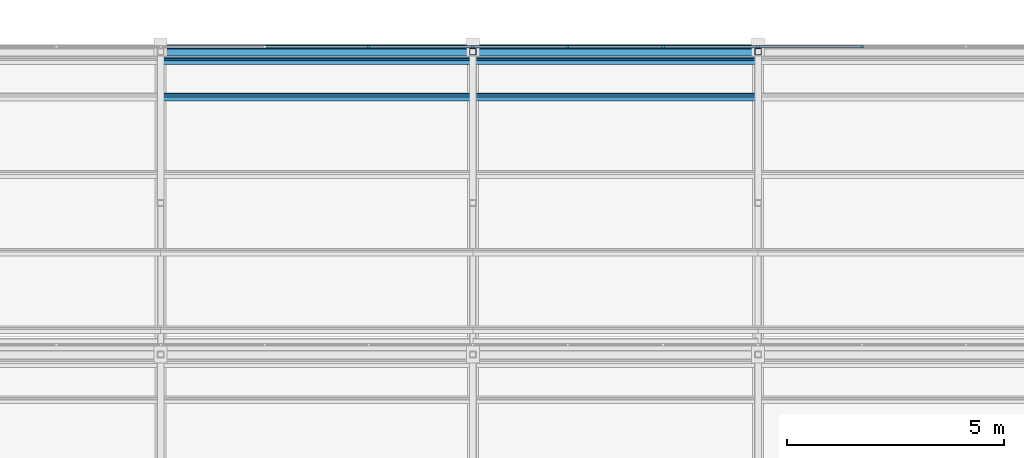
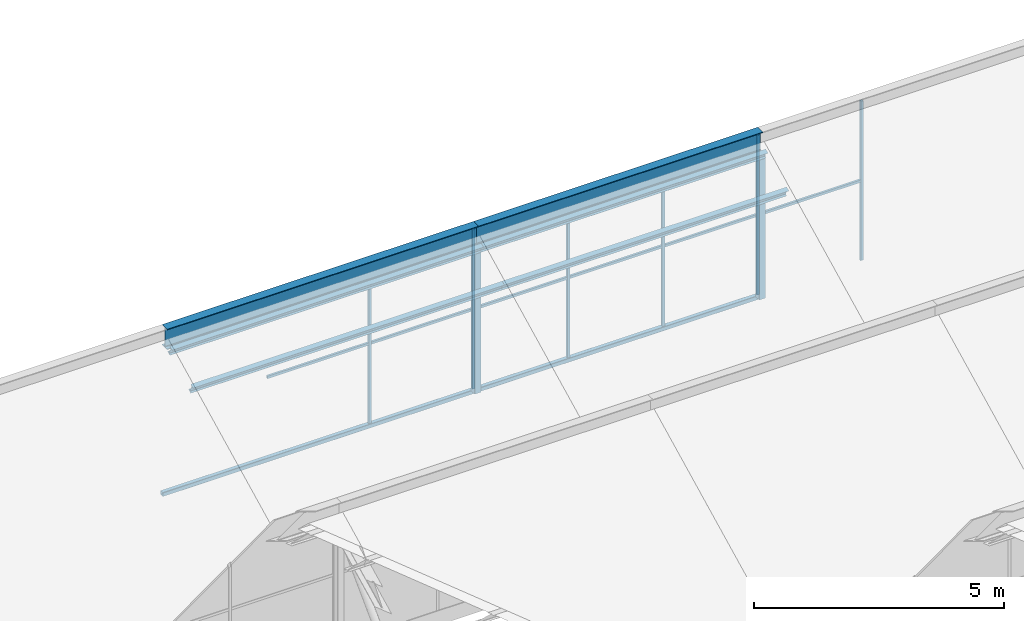
# One storey, part 41 of 83: 22 members, 3 elements without a shape of their own.
"""IFC4 building model written with IfcOpenShell, lengths in metres."""

from ifc_helpers import new_model, si_unit, direction, frame, origin, origin_2d, place, context, subcontext, project, spatial, rectangle, hollow_rectangle, i_section, extrude, material, material_profile, profile_set, type_object, element, aggregate, save


model = new_model("IFC4")

# Units and contexts
model_context = context("Model", 3, precision=1e-05, world=origin(), true_north=direction((0.0, 1.0)))
body_context = subcontext(model_context, "Body", "Model", "MODEL_VIEW")
ifc_project = project(units=[si_unit("LENGTHUNIT", "METRE"), si_unit("AREAUNIT", "SQUARE_METRE"), si_unit("VOLUMEUNIT", "CUBIC_METRE"), si_unit("PLANEANGLEUNIT", "RADIAN"), si_unit("MASSUNIT", "GRAM", prefix="KILO")], contexts=[model_context])

# Site, building, storey
site_placement = place(None, origin())
site = spatial("IfcSite", under=ifc_project, at=site_placement, CompositionType="ELEMENT")
building_placement = place(site_placement, origin())
building = spatial("IfcBuilding", under=site, at=building_placement, Name="Silangan Lancet Faculty of Sciences", CompositionType="ELEMENT")
storey_placement = place(building_placement, frame((0.0, 0.0, 11.39990234375)))
storey = spatial("IfcBuildingStorey", under=building, at=storey_placement, Name="L02", CompositionType="ELEMENT", Elevation=11.39990234375)

# Members
ifc_material_1 = material(Name="Steel SS400", Category="steel")
ifc_material_profile_1 = material_profile(ifc_material_1, i_section(OverallWidth=0.199951171875, OverallDepth=0.5, WebThickness=0.010009765625, FlangeThickness=0.01611328125, FilletRadius=0.02001953125, at=origin_2d()), Name="H 500x200x10x16")
ifc_profile_set_1 = profile_set([ifc_material_profile_1], Name="Steel SS400")
member_type_1 = type_object("IfcMemberType", Name="Exposed ridge beam H 500x200x10x16", PredefinedType="MEMBER", material=ifc_profile_set_1)
member_1_placement = place(storey_placement, frame((43.824951171875, 57.3701171875, 3.942626953125), z_axis=(1.0, 0.0, 0.0), x_axis=(0.0, 1.0, 0.0)))
element("IfcMember", 1, at=member_1_placement, inside=storey, type_object=member_type_1, Name="Exposed ridge beam NAB-3-3", PredefinedType="MEMBER", context=body_context, shape_type="SweptSolid", body=[
    extrude(i_section(OverallWidth=0.199951171875, OverallDepth=0.5, WebThickness=0.010009765625, FlangeThickness=0.01611328125, FilletRadius=0.02001953125, at=origin_2d()), origin(), (0.0, 0.0, 1.0), 7.199951171875),
])
member_2_placement = place(storey_placement, frame((51.02490234375, 57.3701171875, 3.942626953125), z_axis=(1.0, 0.0, 0.0), x_axis=(0.0, 1.0, 0.0)))
element("IfcMember", 2, at=member_2_placement, inside=storey, type_object=member_type_1, Name="Exposed ridge beam NAB-3-4", PredefinedType="MEMBER", context=body_context, shape_type="SweptSolid", body=[
    extrude(i_section(OverallWidth=0.199951171875, OverallDepth=0.5, WebThickness=0.010009765625, FlangeThickness=0.01611328125, FilletRadius=0.02001953125, at=origin_2d()), origin(), (0.0, 0.0, 1.0), 6.5751953125),
])
ifc_material_2 = material(Name="Steel STKR400", Category="steel")
ifc_material_profile_2 = material_profile(ifc_material_2, hollow_rectangle(XDim=0.10009765625, YDim=0.10009765625, WallThickness=0.006103515625, InnerFilletRadius=0.006103515625, OuterFilletRadius=0.011962890625, at=origin_2d()), Name="SHS 100x100x6.0")
ifc_profile_set_2 = profile_set([ifc_material_profile_2], Name="Steel STKR400")
member_type_2 = type_object("IfcMemberType", Name="Light sill SHS 100x100x6.0", PredefinedType="MEMBER", material=ifc_profile_set_2)
member_3_placement = place(storey_placement, frame((43.824951171875, 57.485107421875, 0.050048828125), z_axis=(1.0, 0.0, 0.0), x_axis=(0.0, 1.0, 0.0)))
element("IfcMember", 3, at=member_3_placement, inside=storey, type_object=member_type_2, Name="North light sill NAB-3-3", PredefinedType="MEMBER", context=body_context, shape_type="SweptSolid", body=[
    extrude(hollow_rectangle(XDim=0.10009765625, YDim=0.10009765625, WallThickness=0.006103515625, InnerFilletRadius=0.006103515625, OuterFilletRadius=0.011962890625, at=origin_2d()), origin(), (0.0, 0.0, 1.0), 7.199951171875),
])
member_4_placement = place(storey_placement, frame((51.02490234375, 57.485107421875, 0.050048828125), z_axis=(1.0, 0.0, 0.0), x_axis=(0.0, 1.0, 0.0)))
element("IfcMember", 4, at=member_4_placement, inside=storey, type_object=member_type_2, Name="North light sill NAB-3-4", PredefinedType="MEMBER", context=body_context, shape_type="SweptSolid", body=[
    extrude(hollow_rectangle(XDim=0.10009765625, YDim=0.10009765625, WallThickness=0.006103515625, InnerFilletRadius=0.006103515625, OuterFilletRadius=0.011962890625, at=origin_2d()), origin(), (0.0, 0.0, 1.0), 6.5751953125),
])

# Curtain wall, member
ifc_material_3 = material(Name="Aluminium and laminated glass", Category="aluminium")
curtain_wall_type = type_object("IfcCurtainWallType", Name="North light glazing system", PredefinedType="NOTDEFINED", material=ifc_material_3)
curtain_wall_1_placement = place(storey_placement, origin())
curtain_wall_1 = element("IfcCurtainWall", 5, at=curtain_wall_1_placement, inside=storey, type_object=curtain_wall_type, Name="North light glazing NAB-3-3", PredefinedType="NOTDEFINED")
ifc_material_4 = material(Name="Aluminium 6063-T6", Category="aluminium")
ifc_material_profile_3 = material_profile(ifc_material_4, rectangle(XDim=0.06005859375, YDim=0.050048828125, at=origin_2d()), Name="AL 60x50")
ifc_profile_set_3 = profile_set([ifc_material_profile_3], Name="Aluminium 6063-T6")
member_type_3 = type_object("IfcMemberType", Name="North light mullion 60x50", PredefinedType="MULLION", material=ifc_profile_set_3)
member_5_placement = place(storey_placement, frame((48.625, 57.485107421875, 0.10009765625), z_axis=(0.0, 0.0, 1.0), x_axis=(1.0, 0.0, 0.0)))
member_5 = element("IfcMember", 6, at=member_5_placement, type_object=member_type_3, Name="North light mullion NAB-3-3 3", PredefinedType="MULLION", context=body_context, shape_type="SweptSolid", body=[
    extrude(rectangle(XDim=0.06005859375, YDim=0.050048828125, at=origin_2d()), origin(), (0.0, 0.0, 1.0), 3.89404296875),
])

# Curtain wall, members
curtain_wall_2_placement = place(storey_placement, origin())
curtain_wall_2 = element("IfcCurtainWall", 7, at=curtain_wall_2_placement, inside=storey, type_object=curtain_wall_type, Name="North light glazing NAB-3-4", PredefinedType="NOTDEFINED")
member_6_placement = place(storey_placement, frame((51.02490234375, 57.485107421875, 0.10009765625), z_axis=(0.0, 0.0, 1.0), x_axis=(1.0, 0.0, 0.0)))
member_6 = element("IfcMember", 8, at=member_6_placement, type_object=member_type_3, Name="North light mullion NAB-3-4 1", PredefinedType="MULLION", context=body_context, shape_type="SweptSolid", body=[
    extrude(rectangle(XDim=0.06005859375, YDim=0.050048828125, at=origin_2d()), origin(), (0.0, 0.0, 1.0), 3.89404296875),
])
member_7_placement = place(storey_placement, frame((53.216796875, 57.485107421875, 0.10009765625), z_axis=(0.0, 0.0, 1.0), x_axis=(1.0, 0.0, 0.0)))
member_7 = element("IfcMember", 9, at=member_7_placement, type_object=member_type_3, Name="North light mullion NAB-3-4 2", PredefinedType="MULLION", context=body_context, shape_type="SweptSolid", body=[
    extrude(rectangle(XDim=0.06005859375, YDim=0.050048828125, at=origin_2d()), origin(), (0.0, 0.0, 1.0), 3.89404296875),
])
member_8_placement = place(storey_placement, frame((55.408203125, 57.485107421875, 0.10009765625), z_axis=(0.0, 0.0, 1.0), x_axis=(1.0, 0.0, 0.0)))
member_8 = element("IfcMember", 10, at=member_8_placement, type_object=member_type_3, Name="North light mullion NAB-3-4 3", PredefinedType="MULLION", context=body_context, shape_type="SweptSolid", body=[
    extrude(rectangle(XDim=0.06005859375, YDim=0.050048828125, at=origin_2d()), origin(), (0.0, 0.0, 1.0), 3.89404296875),
])

curtain_wall_3_placement = place(storey_placement, origin())
curtain_wall_3 = element("IfcCurtainWall", 11, at=curtain_wall_3_placement, inside=storey, type_object=curtain_wall_type, Name="North light glazing NAB-3-5", PredefinedType="NOTDEFINED")
member_9_placement = place(storey_placement, frame((57.60009765625, 57.485107421875, 0.10009765625), z_axis=(0.0, 0.0, 1.0), x_axis=(1.0, 0.0, 0.0)))
member_9 = element("IfcMember", 12, at=member_9_placement, type_object=member_type_3, Name="North light mullion NAB-3-5 1", PredefinedType="MULLION", context=body_context, shape_type="SweptSolid", body=[
    extrude(rectangle(XDim=0.06005859375, YDim=0.050048828125, at=origin_2d()), origin(), (0.0, 0.0, 1.0), 3.89404296875),
])
member_10_placement = place(storey_placement, frame((60.0, 57.485107421875, 0.10009765625), z_axis=(0.0, 0.0, 1.0), x_axis=(1.0, 0.0, 0.0)))
member_10 = element("IfcMember", 13, at=member_10_placement, type_object=member_type_3, Name="North light mullion NAB-3-5 2", PredefinedType="MULLION", context=body_context, shape_type="SweptSolid", body=[
    extrude(rectangle(XDim=0.06005859375, YDim=0.050048828125, at=origin_2d()), origin(), (0.0, 0.0, 1.0), 3.89404296875),
])

# Member
ifc_material_5 = material(Name="Aluminium 6063-T6", Category="aluminium")
ifc_material_profile_4 = material_profile(ifc_material_5, rectangle(XDim=0.050048828125, YDim=0.06005859375, at=origin_2d()), Name="AL 50x60")
ifc_profile_set_4 = profile_set([ifc_material_profile_4], Name="Aluminium 6063-T6")
member_type_4 = type_object("IfcMemberType", Name="North light transom 50x60", PredefinedType="USERDEFINED", material=ifc_profile_set_4)
member_11_placement = place(storey_placement, frame((46.2548828125, 57.485107421875, 2.047119140625), z_axis=(1.0, 0.0, 0.0), x_axis=(0.0, 1.0, 0.0)))
member_11 = element("IfcMember", 14, at=member_11_placement, type_object=member_type_4, Name="North light transom NAB-3-3 2", ObjectType="TRANSOM", PredefinedType="USERDEFINED", context=body_context, shape_type="SweptSolid", body=[
    extrude(rectangle(XDim=0.050048828125, YDim=0.06005859375, at=origin_2d()), origin(), (0.0, 0.0, 1.0), 2.340087890625),
])

member_12_placement = place(storey_placement, frame((48.655029296875, 57.485107421875, 2.047119140625), z_axis=(1.0, 0.0, 0.0), x_axis=(0.0, 1.0, 0.0)))
member_12 = element("IfcMember", 15, at=member_12_placement, type_object=member_type_4, Name="North light transom NAB-3-3 3", ObjectType="TRANSOM", PredefinedType="USERDEFINED", context=body_context, shape_type="SweptSolid", body=[
    extrude(rectangle(XDim=0.050048828125, YDim=0.06005859375, at=origin_2d()), origin(), (0.0, 0.0, 1.0), 2.340087890625),
])

aggregate(curtain_wall_1, [member_5, member_11, member_12])

member_13_placement = place(storey_placement, frame((51.054931640625, 57.485107421875, 2.047119140625), z_axis=(1.0, 0.0, 0.0), x_axis=(0.0, 1.0, 0.0)))
member_13 = element("IfcMember", 16, at=member_13_placement, type_object=member_type_4, Name="North light transom NAB-3-4 1", ObjectType="TRANSOM", PredefinedType="USERDEFINED", context=body_context, shape_type="SweptSolid", body=[
    extrude(rectangle(XDim=0.050048828125, YDim=0.06005859375, at=origin_2d()), origin(), (0.0, 0.0, 1.0), 2.1318359375),
])

member_14_placement = place(storey_placement, frame((53.24658203125, 57.485107421875, 2.047119140625), z_axis=(1.0, 0.0, 0.0), x_axis=(0.0, 1.0, 0.0)))
member_14 = element("IfcMember", 17, at=member_14_placement, type_object=member_type_4, Name="North light transom NAB-3-4 2", ObjectType="TRANSOM", PredefinedType="USERDEFINED", context=body_context, shape_type="SweptSolid", body=[
    extrude(rectangle(XDim=0.050048828125, YDim=0.06005859375, at=origin_2d()), origin(), (0.0, 0.0, 1.0), 2.1318359375),
])

member_15_placement = place(storey_placement, frame((55.438232421875, 57.485107421875, 2.047119140625), z_axis=(1.0, 0.0, 0.0), x_axis=(0.0, 1.0, 0.0)))
member_15 = element("IfcMember", 18, at=member_15_placement, type_object=member_type_4, Name="North light transom NAB-3-4 3", ObjectType="TRANSOM", PredefinedType="USERDEFINED", context=body_context, shape_type="SweptSolid", body=[
    extrude(rectangle(XDim=0.050048828125, YDim=0.06005859375, at=origin_2d()), origin(), (0.0, 0.0, 1.0), 2.1318359375),
])

aggregate(curtain_wall_2, [member_6, member_7, member_8, member_13, member_14, member_15])

member_16_placement = place(storey_placement, frame((57.6298828125, 57.485107421875, 2.047119140625), z_axis=(1.0, 0.0, 0.0), x_axis=(0.0, 1.0, 0.0)))
member_16 = element("IfcMember", 19, at=member_16_placement, type_object=member_type_4, Name="North light transom NAB-3-5 1", ObjectType="TRANSOM", PredefinedType="USERDEFINED", context=body_context, shape_type="SweptSolid", body=[
    extrude(rectangle(XDim=0.050048828125, YDim=0.06005859375, at=origin_2d()), origin(), (0.0, 0.0, 1.0), 2.340087890625),
])

aggregate(curtain_wall_3, [member_9, member_10, member_16])

# Members
ifc_material_6 = material(Name="Steel SS400", Category="steel")
ifc_material_profile_5 = material_profile(ifc_material_6, i_section(OverallWidth=0.10009765625, OverallDepth=0.199951171875, WebThickness=0.005615234375, FlangeThickness=0.008056640625, FilletRadius=0.008056640625, at=origin_2d()), Name="H 200x100x5.5x8")
ifc_profile_set_5 = profile_set([ifc_material_profile_5], Name="Steel SS400")
member_type_5 = type_object("IfcMemberType", Name="Sheeting purlin H 200x100x5.5x8", PredefinedType="PURLIN", material=ifc_profile_set_5)
for number, where, z_axis, x_axis, name in (
    (20, (43.824951171875, 56.3251953125, 3.31494140625), (1.0, 0.0, 0.0), (0.0, 0.894427192382, 0.447213592736), "Sheeting purlin NAB-3-3 4"),
    (21, (43.824951171875, 57.162109375, 3.7333984375), (1.0, 0.0, 0.0), (0.0, 0.894427192382, 0.447213592736), "Sheeting purlin NAB-3-3 5"),
):
    element("IfcMember", number, at=place(storey_placement, frame(where, z_axis=z_axis, x_axis=x_axis)), inside=storey, type_object=member_type_5, Name=name, PredefinedType="PURLIN", context=body_context, shape_type="SweptSolid", body=[
        extrude(i_section(OverallWidth=0.10009765625, OverallDepth=0.199951171875, WebThickness=0.005615234375, FlangeThickness=0.008056640625, FilletRadius=0.008056640625, at=origin_2d()), origin(), (0.0, 0.0, 1.0), 7.199951171875),
    ])
for number, where, z_axis, x_axis, name in (
    (22, (51.02490234375, 56.3251953125, 3.31494140625), (1.0, 0.0, 0.0), (0.0, 0.894427192382, 0.447213592736), "Sheeting purlin NAB-3-4 4"),
    (23, (51.02490234375, 57.162109375, 3.7333984375), (1.0, 0.0, 0.0), (0.0, 0.894427192382, 0.447213592736), "Sheeting purlin NAB-3-4 5"),
):
    element("IfcMember", number, at=place(storey_placement, frame(where, z_axis=z_axis, x_axis=x_axis)), inside=storey, type_object=member_type_5, Name=name, PredefinedType="PURLIN", context=body_context, shape_type="SweptSolid", body=[
        extrude(i_section(OverallWidth=0.10009765625, OverallDepth=0.199951171875, WebThickness=0.005615234375, FlangeThickness=0.008056640625, FilletRadius=0.008056640625, at=origin_2d()), origin(), (0.0, 0.0, 1.0), 6.5751953125),
    ])
ifc_material_7 = material(Name="Steel STKR400", Category="steel")
ifc_material_profile_6 = material_profile(ifc_material_7, hollow_rectangle(XDim=0.14990234375, YDim=0.14990234375, WallThickness=0.006103515625, InnerFilletRadius=0.006103515625, OuterFilletRadius=0.011962890625, at=origin_2d()), Name="SHS 150x150x6.0")
ifc_profile_set_6 = profile_set([ifc_material_profile_6], Name="Steel STKR400")
member_type_6 = type_object("IfcMemberType", Name="Truss post SHS 150x150x6.0", PredefinedType="POST", material=ifc_profile_set_6)
for number, where, z_axis, x_axis, name in (
    (24, (51.02490234375, 57.3701171875, 0.09521484375), (0.0, 0.0, 1.0), (1.0, 0.0, 0.0), "Truss 4 riser post 3"),
    (25, (57.60009765625, 57.3701171875, 0.09521484375), (0.0, 0.0, 1.0), (1.0, 0.0, 0.0), "Truss 5 riser post 3"),
):
    element("IfcMember", number, at=place(storey_placement, frame(where, z_axis=z_axis, x_axis=x_axis)), inside=storey, type_object=member_type_6, Name=name, PredefinedType="POST", context=body_context, shape_type="SweptSolid", body=[
        extrude(hollow_rectangle(XDim=0.14990234375, YDim=0.14990234375, WallThickness=0.006103515625, InnerFilletRadius=0.006103515625, OuterFilletRadius=0.011962890625, at=origin_2d()), origin(), (0.0, 0.0, 1.0), 3.49072265625),
    ])

save(model, "model.ifc")
